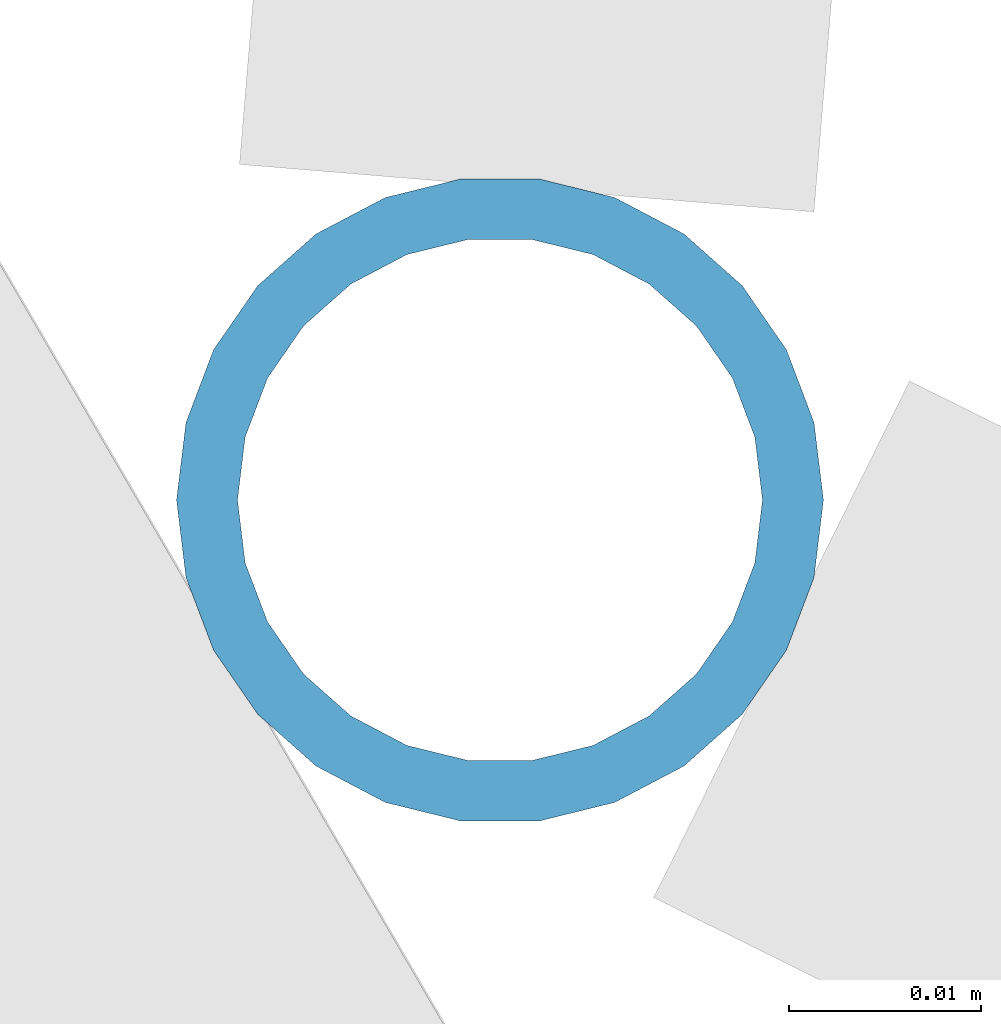
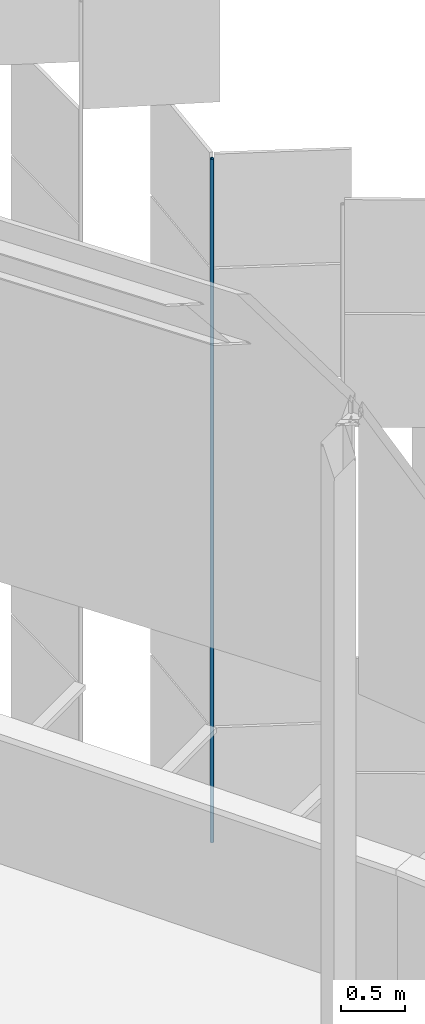
# One storey, part 307 of 483: 1 discrete accessory.
"""IFC4 building model written with IfcOpenShell, lengths in metres."""

import ifcopenshell
import ifcopenshell.guid

model = None  # the IFC model being written
_history = None  # IfcOwnerHistory: only IFC2X3 demands one
_inside = {}  # id of a spatial element -> (the spatial element, [elements in it])
_under = {}  # id of a project, library or spatial element -> (it, [spatial elements below it])
_declared = {}  # id of a project -> (the project, [libraries it declares])
_typed = {}  # id of a type object -> (the type object, [elements of that type])
_made_of = {}  # id of a material, layer set ... -> (it, [elements and type objects made of it])


def new_model(schema):
    """Start an empty IFC model of exactly this schema.

    Asked for "IFC4X3", IfcOpenShell would pick the latest addendum, in which some entities
    have other attributes; the version numbers below select the first issue.
    IFC2X3 requires an IfcOwnerHistory on every rooted entity: one is made here for all.
    """
    global model, _history
    if schema == "IFC4X3":
        model = ifcopenshell.file(schema_version=(4, 3, 0, 0))
    else:
        model = ifcopenshell.file(schema=schema)
    _inside.clear()
    _under.clear()
    _declared.clear()
    _typed.clear()
    _made_of.clear()
    _history = None
    if model.schema == "IFC2X3":
        org = make("IfcOrganization", Name="unknown")
        user = make(
            "IfcPersonAndOrganization",
            ThePerson=make("IfcPerson", FamilyName="unknown"),
            TheOrganization=org,
        )
        app = make(
            "IfcApplication",
            ApplicationDeveloper=org,
            Version="unknown",
            ApplicationFullName="unknown",
            ApplicationIdentifier="unknown",
        )
        _history = make(
            "IfcOwnerHistory",
            OwningUser=user,
            OwningApplication=app,
            ChangeAction="ADDED",
            CreationDate=0,
        )
    return model


def make(cls, **values):
    """One entity of the class cls with the attributes given. An attribute that is None is left unset."""
    return model.create_entity(
        cls, **{name: value for name, value in values.items() if value is not None}
    )


def rooted(cls, **values):
    """An entity with a GlobalId (a new one), such as an element, a storey or a relation."""
    return make(cls, GlobalId=ifcopenshell.guid.new(), OwnerHistory=_history, **values)


def si_unit(unit_type, name, prefix=None):
    """IfcSIUnit, for example si_unit("LENGTHUNIT", "METRE", prefix="MILLI")."""
    return make("IfcSIUnit", UnitType=unit_type, Prefix=prefix, Name=name)


def assignment(units):
    """IfcUnitAssignment: the units of a project."""
    return None if units is None else make("IfcUnitAssignment", Units=units)


def point(xyz):
    """IfcCartesianPoint."""
    return None if xyz is None else make("IfcCartesianPoint", Coordinates=xyz)


def direction(xyz):
    """IfcDirection."""
    return None if xyz is None else make("IfcDirection", DirectionRatios=xyz)


def frame(location, z_axis=None, x_axis=None):
    """IfcAxis2Placement3D, a coordinate frame: its origin and axes. An axis left out is left unset."""
    return make(
        "IfcAxis2Placement3D",
        Location=point(location),
        Axis=direction(z_axis),
        RefDirection=direction(x_axis),
    )


def frame_2d(location, x_axis=None):
    """IfcAxis2Placement2D, a coordinate frame in the plane: its origin and x axis."""
    return make(
        "IfcAxis2Placement2D", Location=point(location), RefDirection=direction(x_axis)
    )


def origin():
    """The frame at (0, 0, 0) with its axes left unset."""
    return frame((0.0, 0.0, 0.0))


def origin_2d():
    """The frame at (0, 0) in the plane with its x axis left unset."""
    return frame_2d((0.0, 0.0))


def place(relative_to, where):
    """IfcLocalPlacement: puts the frame where relative to a parent placement (None: the world)."""
    return make(
        "IfcLocalPlacement", PlacementRelTo=relative_to, RelativePlacement=where
    )


def context(
    kind, dimensions, precision=None, world=None, true_north=None, identifier=None
):
    """IfcGeometricRepresentationContext, for example the 3D "Model" context."""
    return make(
        "IfcGeometricRepresentationContext",
        ContextIdentifier=identifier,
        ContextType=kind,
        CoordinateSpaceDimension=dimensions,
        Precision=precision,
        WorldCoordinateSystem=world,
        TrueNorth=true_north,
    )


def subcontext(parent, identifier, kind, view, scale=None):
    """IfcGeometricRepresentationSubContext, for example "Body" below "Model"."""
    return make(
        "IfcGeometricRepresentationSubContext",
        ContextIdentifier=identifier,
        ContextType=kind,
        ParentContext=parent,
        TargetScale=scale,
        TargetView=view,
    )


def project(units=None, contexts=None):
    """IfcProject with its units and contexts."""
    return rooted(
        "IfcProject",
        Name="project",
        RepresentationContexts=contexts,
        UnitsInContext=assignment(units),
    )


def spatial(cls, under=None, at=None, **own):
    """A site, building, storey or space (cls), placed at a placement, below another one or the project."""
    s = rooted(cls, ObjectPlacement=at, **own)
    if under is not None:
        _under.setdefault(under.id(), (under, []))[1].append(s)
    return s


def profile(cls, at=None, kind="AREA", **sizes):
    """A parametric profile (cls). Its sizes go by their IFC names, for example OverallWidth=200.0."""
    return make(cls, ProfileType=kind, Position=at, **sizes)


def hollow_circle(**sizes):
    """IfcCircleHollowProfileDef."""
    return profile("IfcCircleHollowProfileDef", **sizes)


def extrude(swept, where, along, depth):
    """IfcExtrudedAreaSolid: the profile swept, set in the frame where, extruded along a direction by depth."""
    return make(
        "IfcExtrudedAreaSolid",
        SweptArea=swept,
        Position=where,
        ExtrudedDirection=direction(along),
        Depth=depth,
    )


def shape(context_of_items, identifier, shape_type, items):
    """IfcShapeRepresentation: the items that make up one representation, for example the "Body"."""
    return make(
        "IfcShapeRepresentation",
        ContextOfItems=context_of_items,
        RepresentationIdentifier=identifier,
        RepresentationType=shape_type,
        Items=items,
    )


def material(Name=None, Category=None):
    """IfcMaterial."""
    return make("IfcMaterial", Name=Name, Category=Category)


def material_profile(
    of_material, cross_section, Name=None, Category=None, Priority=None
):
    """IfcMaterialProfile: a cross section and its material."""
    return make(
        "IfcMaterialProfile",
        Name=Name,
        Material=of_material,
        Profile=cross_section,
        Priority=Priority,
        Category=Category,
    )


def profile_set(profiles, Name=None, composite=None):
    """IfcMaterialProfileSet."""
    return make(
        "IfcMaterialProfileSet",
        Name=Name,
        MaterialProfiles=profiles,
        CompositeProfile=composite,
    )


def made_of(thing, what):
    """Note that an element or type object is made of a material, layer set ...; save() writes the relation."""
    if what is not None:
        _made_of.setdefault(what.id(), (what, []))[1].append(thing)
    return thing


def type_object(cls, material=None, **own):
    """A type object (cls), such as IfcWallType, which elements share."""
    return made_of(rooted(cls, **own), material)


def element(
    cls,
    number,
    at=None,
    inside=None,
    cuts=None,
    type_object=None,
    material=None,
    context=None,
    identifier="Body",
    shape_type=None,
    held_by="IfcProductDefinitionShape",
    body=None,
    shapes=None,
    **own,
):
    """One element of the class cls, such as IfcWall. Its Tag is "e" and its number.

    at: its placement. inside: the storey or other place that contains it. cuts: it is an
    opening in that element (IfcRelVoidsElement). A single representation is given by context,
    identifier, shape_type and body (its items); several are given by shapes. held_by: the class
    of the entity that holds the representations. save() writes the other relations.
    """
    e = rooted(cls, Tag="e%d" % number, ObjectPlacement=at, **own)
    if body is not None:
        shapes = [shape(context, identifier, shape_type, body)]
    if shapes is not None:
        e.Representation = make(held_by, Representations=shapes)
    if inside is not None:
        _inside.setdefault(inside.id(), (inside, []))[1].append(e)
    if cuts is not None:
        rooted(
            "IfcRelVoidsElement", RelatingBuildingElement=cuts, RelatedOpeningElement=e
        )
    if type_object is not None:
        _typed.setdefault(type_object.id(), (type_object, []))[1].append(e)
    return made_of(e, material)


def aggregate(whole, parts):
    """IfcRelAggregates: a whole, such as a stair, and the parts it consists of."""
    return rooted("IfcRelAggregates", RelatingObject=whole, RelatedObjects=parts)


def save(model, path):
    """Write the relations noted so far, then the file.

    IfcRelAggregates (storeys below a building ...), IfcRelContainedInSpatialStructure (elements
    in a storey), IfcRelDefinesByType, IfcRelAssociatesMaterial and IfcRelDeclares: one each for
    every whole, place, type object, material and project.
    """
    for whole, parts in _under.values():
        aggregate(whole, parts)
    for where, things in _inside.values():
        rooted(
            "IfcRelContainedInSpatialStructure",
            RelatedElements=things,
            RelatingStructure=where,
        )
    for kind, things in _typed.values():
        rooted("IfcRelDefinesByType", RelatedObjects=things, RelatingType=kind)
    for what, things in _made_of.values():
        rooted("IfcRelAssociatesMaterial", RelatedObjects=things, RelatingMaterial=what)
    for by, libraries in _declared.values():
        rooted("IfcRelDeclares", RelatingContext=by, RelatedDefinitions=libraries)
    model.write(path)


model = new_model("IFC4")

# Units and contexts
model_context = context("Model", 3, precision=1e-05, world=origin(), true_north=direction((0.0, 1.0)))
body_context = subcontext(model_context, "Body", "Model", "MODEL_VIEW")
ifc_project = project(units=[si_unit("LENGTHUNIT", "METRE"), si_unit("AREAUNIT", "SQUARE_METRE"), si_unit("VOLUMEUNIT", "CUBIC_METRE"), si_unit("PLANEANGLEUNIT", "RADIAN"), si_unit("MASSUNIT", "GRAM", prefix="KILO")], contexts=[model_context])

# Site, building, storey
site_placement = place(None, origin())
site = spatial("IfcSite", under=ifc_project, at=site_placement, CompositionType="ELEMENT")
building_placement = place(site_placement, origin())
building = spatial("IfcBuilding", under=site, at=building_placement, Name="Parallax Yard Mobility Hub", CompositionType="ELEMENT")
storey_placement = place(building_placement, frame((0.0, 0.0, 13.199951171875)))
storey = spatial("IfcBuildingStorey", under=building, at=storey_placement, Name="L04", CompositionType="ELEMENT", Elevation=13.199951171875)

# Discrete accessory
ifc_material = material(Name="Steel ASTM A500 Gr C, hot-dip galvanised", Category="steel")
ifc_material_profile = material_profile(ifc_material, hollow_circle(Radius=0.016845703125, WallThickness=0.003173828125, at=origin_2d()), Name="CHS 33.7x3.2")
ifc_profile_set = profile_set([ifc_material_profile], Name="Steel ASTM A500 Gr C, hot-dip galvanised")
discrete_accessory_type = type_object("IfcDiscreteAccessoryType", Name="Hinge post CHS 33.7x3.2", PredefinedType="BRACKET", material=ifc_profile_set)
discrete_accessory_placement = place(storey_placement, frame((218.87353515625, 116.320556640625, 0.0), z_axis=(0.0, 0.0, 1.0), x_axis=(1.0, 0.0, 0.0)))
element("IfcDiscreteAccessory", 1, at=discrete_accessory_placement, inside=storey, type_object=discrete_accessory_type, Name="Hinge post bay 44.3 level L04", PredefinedType="BRACKET", context=body_context, shape_type="SweptSolid", body=[
    extrude(hollow_circle(Radius=0.016845703125, WallThickness=0.003173828125, at=origin_2d()), origin(), (0.0, 0.0, 1.0), 6.550048828125),
])

save(model, "model.ifc")
